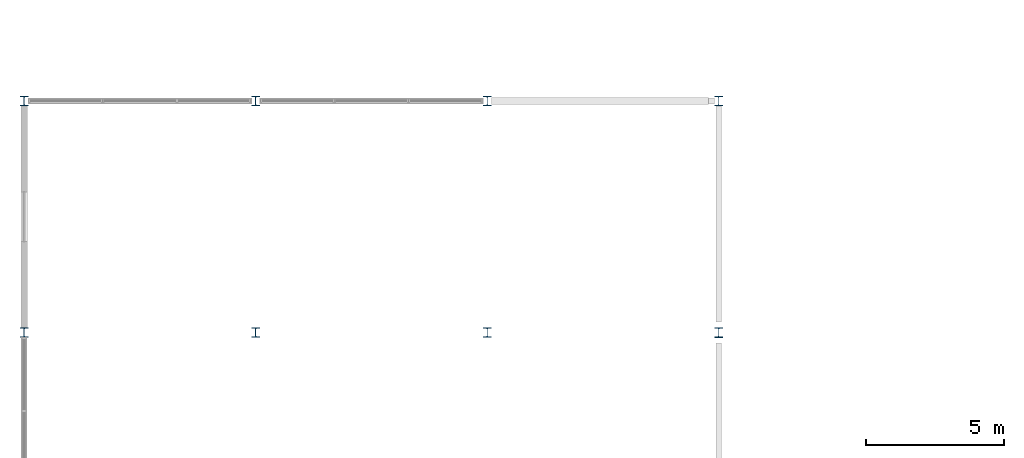
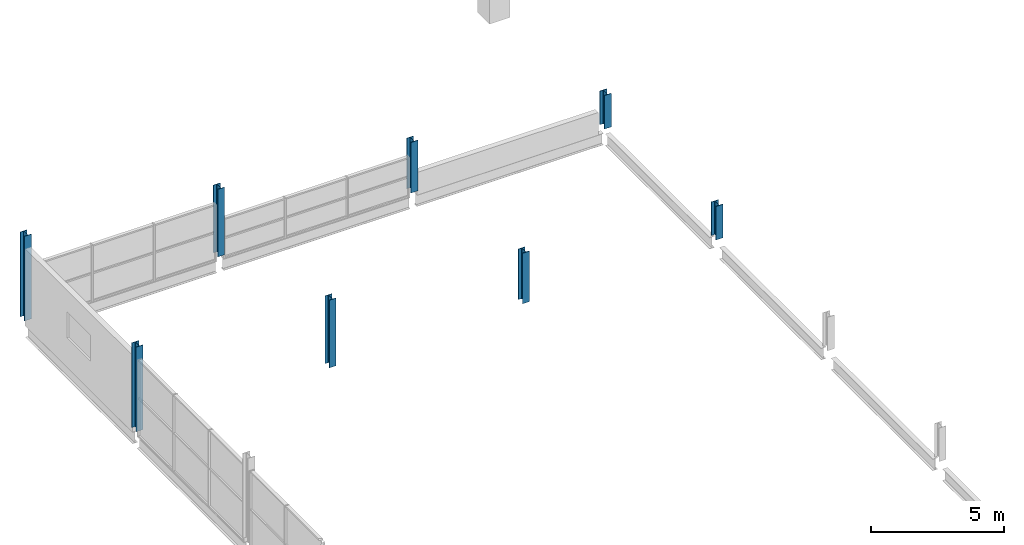
# One storey, part 2 of 43: 8 columns.
"""IFC4 building model written with IfcOpenShell, lengths in metres."""

from ifc_helpers import new_model, si_unit, direction, frame, origin, origin_2d, place, context, subcontext, project, spatial, i_section, extrude, material, material_profile, profile_set, type_object, element, save


model = new_model("IFC4")

# Units and contexts
model_context = context("Model", 3, precision=1e-05, world=origin(), true_north=direction((0.0, 1.0)))
body_context = subcontext(model_context, "Body", "Model", "MODEL_VIEW")
ifc_project = project(units=[si_unit("LENGTHUNIT", "METRE"), si_unit("AREAUNIT", "SQUARE_METRE"), si_unit("VOLUMEUNIT", "CUBIC_METRE"), si_unit("PLANEANGLEUNIT", "RADIAN"), si_unit("MASSUNIT", "GRAM", prefix="KILO"), si_unit("THERMODYNAMICTEMPERATUREUNIT", "KELVIN")], contexts=[model_context])

# Site, building, storey
site_placement = place(None, origin())
site = spatial("IfcSite", under=ifc_project, at=site_placement, CompositionType="ELEMENT")
building_placement = place(site_placement, origin())
building = spatial("IfcBuilding", under=site, at=building_placement, Name="Nduvali Passage Aquatics Centre", CompositionType="ELEMENT")
storey_placement = place(building_placement, frame((0.0, 0.0, 17.39990234375)))
storey = spatial("IfcBuildingStorey", under=building, at=storey_placement, Name="L04", CompositionType="ELEMENT", Elevation=17.39990234375)

# Columns
ifc_material = material(Name="Steel S355", Category="steel")
ifc_material_profile_1 = material_profile(ifc_material, i_section(OverallWidth=0.300048828125, OverallDepth=0.340087890625, WebThickness=0.011962890625, FlangeThickness=0.021484375, FilletRadius=0.027099609375, at=origin_2d()), Name="HEB 340")
ifc_profile_set_1 = profile_set([ifc_material_profile_1], Name="Steel S355")
column_type_1 = type_object("IfcColumnType", Name="STR-COL-HEB340", PredefinedType="COLUMN", material=ifc_profile_set_1)
column_1_placement = place(storey_placement, frame((8.39990234375, 75.60009765625, 0.0), z_axis=(0.0, 0.0, 1.0), x_axis=(1.0, 0.0, 0.0)))
element("IfcColumn", 1, at=column_1_placement, inside=storey, type_object=column_type_1, Name="L04 Column C7 (8.4, 75.6)", PredefinedType="COLUMN", context=body_context, shape_type="SweptSolid", body=[
    extrude(i_section(OverallWidth=0.300048828125, OverallDepth=0.340087890625, WebThickness=0.011962890625, FlangeThickness=0.021484375, FilletRadius=0.027099609375, at=origin_2d()), origin(), (0.0, 0.0, 1.0), 3.106689453125),
])
column_2_placement = place(storey_placement, frame((16.800048828125, 75.60009765625, 0.0), z_axis=(0.0, 0.0, 1.0), x_axis=(1.0, 0.0, 0.0)))
element("IfcColumn", 2, at=column_2_placement, inside=storey, type_object=column_type_1, Name="L04 Column C7 (16.8, 75.6)", PredefinedType="COLUMN", context=body_context, shape_type="SweptSolid", body=[
    extrude(i_section(OverallWidth=0.300048828125, OverallDepth=0.340087890625, WebThickness=0.011962890625, FlangeThickness=0.021484375, FilletRadius=0.027099609375, at=origin_2d()), origin(), (0.0, 0.0, 1.0), 2.323486328125),
])
ifc_material_profile_2 = material_profile(ifc_material, i_section(OverallWidth=0.300048828125, OverallDepth=0.340087890625, WebThickness=0.011962890625, FlangeThickness=0.021484375, FilletRadius=0.027099609375, at=origin_2d()), Name="HEB 340")
ifc_profile_set_2 = profile_set([ifc_material_profile_2], Name="Steel S355")
column_type_2 = type_object("IfcColumnType", Name="STR-COL-HEB340-EXT", PredefinedType="COLUMN", material=ifc_profile_set_2)
for number, where, z_axis, x_axis, name in (
    (3, (0.0, 75.60009765625, 0.0), (0.0, 0.0, 1.0), (1.0, 0.0, 0.0), "L04 Column C7E (0.0, 75.6)"),
    (4, (0.0, 84.0, 0.0), (0.0, 0.0, 1.0), (1.0, 0.0, 0.0), "L04 Column C7E (0.0, 84.0)"),
):
    element("IfcColumn", number, at=place(storey_placement, frame(where, z_axis=z_axis, x_axis=x_axis)), inside=storey, type_object=column_type_2, Name=name, PredefinedType="COLUMN", context=body_context, shape_type="SweptSolid", body=[
        extrude(i_section(OverallWidth=0.300048828125, OverallDepth=0.340087890625, WebThickness=0.011962890625, FlangeThickness=0.021484375, FilletRadius=0.027099609375, at=origin_2d()), origin(), (0.0, 0.0, 1.0), 3.89013671875),
    ])
column_3_placement = place(storey_placement, frame((8.39990234375, 84.0, 0.0), z_axis=(0.0, 0.0, 1.0), x_axis=(1.0, 0.0, 0.0)))
element("IfcColumn", 5, at=column_3_placement, inside=storey, type_object=column_type_2, Name="L04 Column C7E (8.4, 84.0)", PredefinedType="COLUMN", context=body_context, shape_type="SweptSolid", body=[
    extrude(i_section(OverallWidth=0.300048828125, OverallDepth=0.340087890625, WebThickness=0.011962890625, FlangeThickness=0.021484375, FilletRadius=0.027099609375, at=origin_2d()), origin(), (0.0, 0.0, 1.0), 3.106689453125),
])
column_4_placement = place(storey_placement, frame((16.800048828125, 84.0, 0.0), z_axis=(0.0, 0.0, 1.0), x_axis=(1.0, 0.0, 0.0)))
element("IfcColumn", 6, at=column_4_placement, inside=storey, type_object=column_type_2, Name="L04 Column C7E (16.8, 84.0)", PredefinedType="COLUMN", context=body_context, shape_type="SweptSolid", body=[
    extrude(i_section(OverallWidth=0.300048828125, OverallDepth=0.340087890625, WebThickness=0.011962890625, FlangeThickness=0.021484375, FilletRadius=0.027099609375, at=origin_2d()), origin(), (0.0, 0.0, 1.0), 2.323486328125),
])
ifc_material_profile_3 = material_profile(ifc_material, i_section(OverallWidth=0.300048828125, OverallDepth=0.360107421875, WebThickness=0.012451171875, FlangeThickness=0.0224609375, FilletRadius=0.027099609375, at=origin_2d()), Name="HEB 360")
ifc_profile_set_3 = profile_set([ifc_material_profile_3], Name="Steel S355")
column_type_3 = type_object("IfcColumnType", Name="STR-COL-HEB360", PredefinedType="COLUMN", material=ifc_profile_set_3)
for number, where, z_axis, x_axis, name in (
    (7, (25.199951171875, 75.60009765625, 0.0), (0.0, 0.0, 1.0), (1.0, 0.0, 0.0), "L04 Column C7B (25.2, 75.6)"),
    (8, (25.199951171875, 84.0, 0.0), (0.0, 0.0, 1.0), (1.0, 0.0, 0.0), "L04 Column C7B (25.2, 84.0)"),
):
    element("IfcColumn", number, at=place(storey_placement, frame(where, z_axis=z_axis, x_axis=x_axis)), inside=storey, type_object=column_type_3, Name=name, PredefinedType="COLUMN", context=body_context, shape_type="SweptSolid", body=[
        extrude(i_section(OverallWidth=0.300048828125, OverallDepth=0.360107421875, WebThickness=0.012451171875, FlangeThickness=0.0224609375, FilletRadius=0.027099609375, at=origin_2d()), origin(), (0.0, 0.0, 1.0), 1.5400390625),
    ])

save(model, "model.ifc")
